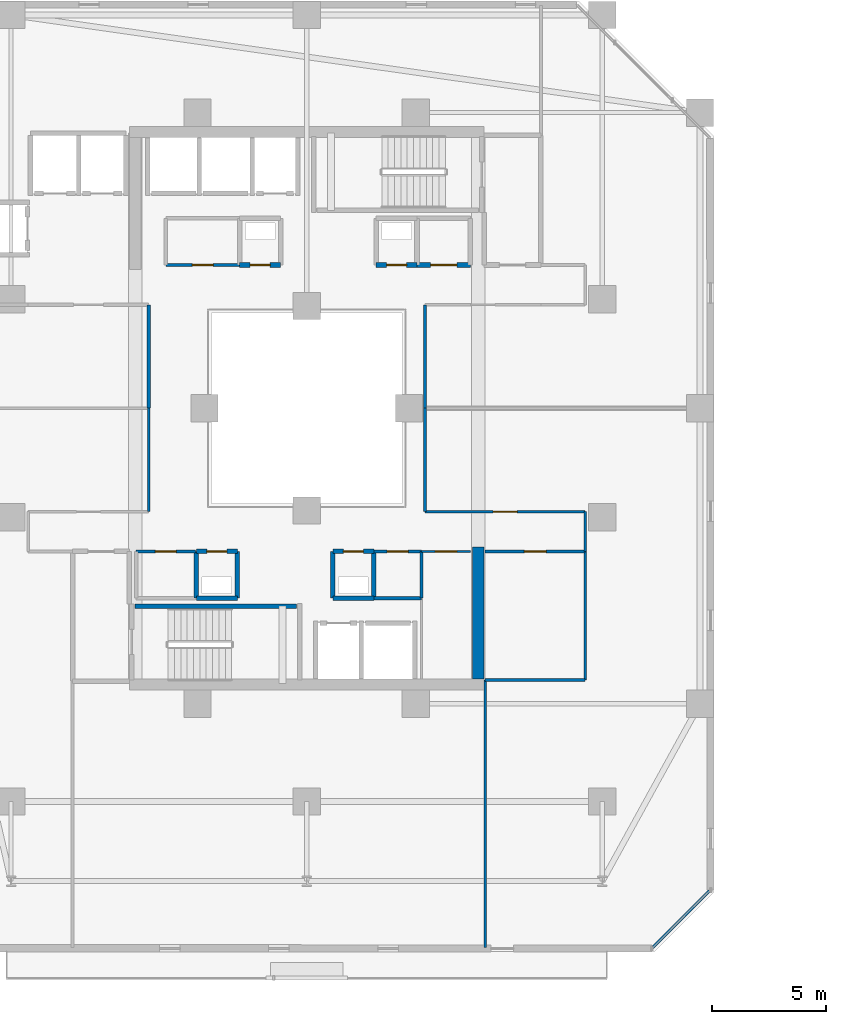
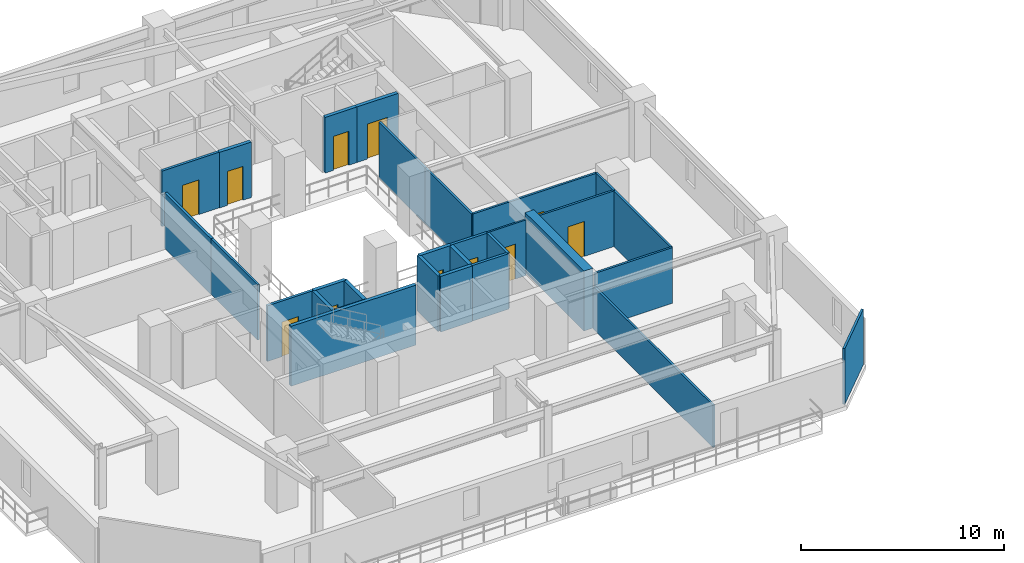
# One storey, part 19 of 32: 30 walls, 11 doors, 11 openings.
"""IFC4 building model written with IfcOpenShell, lengths in metres."""

from ifc_helpers import new_model, si_unit, direction, frame, frame_2d, origin, place, context, subcontext, project, spatial, rectangle, extrude, material, layer, layer_set, type_object, element, fill, save


model = new_model("IFC4")

# Units and contexts
model_context = context("Model", 3, precision=1e-05, world=origin(), true_north=direction((0.0, 1.0)))
body_context = subcontext(model_context, "Body", "Model", "MODEL_VIEW")
ifc_project = project(units=[si_unit("LENGTHUNIT", "METRE"), si_unit("AREAUNIT", "SQUARE_METRE"), si_unit("VOLUMEUNIT", "CUBIC_METRE"), si_unit("PLANEANGLEUNIT", "RADIAN"), si_unit("MASSUNIT", "GRAM", prefix="KILO")], contexts=[model_context])

# Site, building, storey
site_placement = place(None, origin())
site = spatial("IfcSite", under=ifc_project, at=site_placement, CompositionType="ELEMENT")
building_placement = place(site_placement, origin())
building = spatial("IfcBuilding", under=site, at=building_placement, Name="Thornwick Lancets Civic Towers", CompositionType="ELEMENT")
storey_placement = place(building_placement, frame((0.0, 0.0, 123.300048828125)))
storey = spatial("IfcBuildingStorey", under=building, at=storey_placement, Name="L32", CompositionType="ELEMENT", Elevation=123.300048828125)

# Walls
ifc_material_1 = material(Name="Concrete blockwork C40/50", Category="masonry")
ifc_layer_1 = layer(ifc_material_1, 0.199951171875, Name="Concrete blockwork C40/50")
ifc_layer_set_1 = layer_set([ifc_layer_1], Name="Concrete blockwork C40/50")
wall_type_1 = type_object("IfcWallType", Name="WALL_COMP_200", PredefinedType="STANDARD", material=ifc_layer_set_1)
wall_1_placement = place(storey_placement, frame((26.64990234375, 18.64990234375, 0.0), z_axis=(0.0, 0.0, 1.0), x_axis=(1.0, 0.0, 0.0)))
element("IfcWall", 1, at=wall_1_placement, inside=storey, type_object=wall_type_1, Name="L32 Partition L32-A-DUCT1 E1", PredefinedType="STANDARD", context=body_context, shape_type="SweptSolid", body=[
    extrude(rectangle(XDim=1.800048828125, YDim=0.199951171875, at=frame_2d((0.89990234375, 0.0))), origin(), (0.0, 0.0, 1.0), 3.33984375),
])
wall_2_placement = place(storey_placement, frame((28.449951171875, 18.64990234375, 0.0), z_axis=(0.0, 0.0, 1.0), x_axis=(0.0, 1.0, 0.0)))
element("IfcWall", 2, at=wall_2_placement, inside=storey, type_object=wall_type_1, Name="L32 Partition L32-A-DUCT1 E2", PredefinedType="STANDARD", context=body_context, shape_type="SweptSolid", body=[
    extrude(rectangle(XDim=2.050048828125, YDim=0.199951171875, at=frame_2d((1.02490234375, 0.0))), origin(), (0.0, 0.0, 1.0), 3.33984375),
])

# Wall, opening, door
wall_3_placement = place(storey_placement, frame((28.449951171875, 20.699951171875, 0.0), z_axis=(0.0, 0.0, 1.0), x_axis=(-1.0, 0.0, 0.0)))
wall_3 = element("IfcWall", 3, at=wall_3_placement, inside=storey, type_object=wall_type_1, Name="L32 Partition L32-A-DUCT1 E3", PredefinedType="STANDARD", context=body_context, shape_type="SweptSolid", body=[
    extrude(rectangle(XDim=1.800048828125, YDim=0.199951171875, at=frame_2d((0.89990234375, 0.0))), origin(), (0.0, 0.0, 1.0), 3.33984375),
])
opening_1_placement = place(wall_3_placement, frame((0.4599609375, 0.0, 0.0)))
opening_1 = element("IfcOpeningElement", 4, at=opening_1_placement, cuts=wall_3, Name="Opening D-L32-1459", PredefinedType="OPENING", context=body_context, shape_type="SweptSolid", body=[
    extrude(rectangle(XDim=0.8798828125, YDim=2.0400390625, at=frame_2d((0.43994140625, 1.02001953125))), frame((0.0, 0.10986328125, 0.0), z_axis=(0.0, -1.0, 0.0), x_axis=(1.0, 0.0, 0.0)), (0.0, 0.0, 1.0), 0.219970703125),
])
ifc_material_2 = material(Name="Steel riser access doorset", Category="steel")
door_type_1 = type_object("IfcDoorType", Name="DOOR_RISER_850", OperationType="NOTDEFINED", PredefinedType="DOOR", material=ifc_material_2)
door_1_placement = place(opening_1_placement, origin())
door_1 = element("IfcDoor", 5, at=door_1_placement, inside=storey, type_object=door_type_1, Name="L32 South Service Duct 1 Door", OperationType="SINGLE_SWING_RIGHT", OverallHeight=2.0400390625, OverallWidth=0.8798828125, PredefinedType="DOOR", context=body_context, shape_type="SweptSolid", body=[
    extrude(rectangle(XDim=0.8798828125, YDim=2.0400390625, at=frame_2d((0.43994140625, 1.02001953125))), frame((0.0, 0.02490234375, 0.0), z_axis=(0.0, -1.0, 0.0), x_axis=(1.0, 0.0, 0.0)), (0.0, 0.0, 1.0), 0.050048828125),
])
fill(opening_1, door_1)

# Walls
wall_4_placement = place(storey_placement, frame((26.64990234375, 20.699951171875, 0.0), z_axis=(0.0, 0.0, 1.0), x_axis=(0.0, -1.0, 0.0)))
element("IfcWall", 6, at=wall_4_placement, inside=storey, type_object=wall_type_1, Name="L32 Partition L32-A-DUCT1 E4", PredefinedType="STANDARD", context=body_context, shape_type="SweptSolid", body=[
    extrude(rectangle(XDim=2.050048828125, YDim=0.199951171875, at=frame_2d((1.02490234375, 0.0))), origin(), (0.0, 0.0, 1.0), 3.33984375),
])
wall_5_placement = place(storey_placement, frame((20.64990234375, 18.64990234375, 0.0), z_axis=(0.0, 0.0, 1.0), x_axis=(1.0, 0.0, 0.0)))
element("IfcWall", 7, at=wall_5_placement, inside=storey, type_object=wall_type_1, Name="L32 Partition L32-A-RISER1 E1", PredefinedType="STANDARD", context=body_context, shape_type="SweptSolid", body=[
    extrude(rectangle(XDim=1.800048828125, YDim=0.199951171875, at=frame_2d((0.89990234375, 0.0))), origin(), (0.0, 0.0, 1.0), 3.33984375),
])
wall_6_placement = place(storey_placement, frame((22.449951171875, 18.64990234375, 0.0), z_axis=(0.0, 0.0, 1.0), x_axis=(0.0, 1.0, 0.0)))
element("IfcWall", 8, at=wall_6_placement, inside=storey, type_object=wall_type_1, Name="L32 Partition L32-A-RISER1 E2", PredefinedType="STANDARD", context=body_context, shape_type="SweptSolid", body=[
    extrude(rectangle(XDim=2.050048828125, YDim=0.199951171875, at=frame_2d((1.02490234375, 0.0))), origin(), (0.0, 0.0, 1.0), 3.33984375),
])

# Wall, opening, door
wall_7_placement = place(storey_placement, frame((22.449951171875, 20.699951171875, 0.0), z_axis=(0.0, 0.0, 1.0), x_axis=(-1.0, 0.0, 0.0)))
wall_7 = element("IfcWall", 9, at=wall_7_placement, inside=storey, type_object=wall_type_1, Name="L32 Partition L32-A-RISER1 E3", PredefinedType="STANDARD", context=body_context, shape_type="SweptSolid", body=[
    extrude(rectangle(XDim=1.800048828125, YDim=0.199951171875, at=frame_2d((0.89990234375, 0.0))), origin(), (0.0, 0.0, 1.0), 3.33984375),
])
opening_2_placement = place(wall_7_placement, frame((0.4599609375, 0.0, 0.0)))
opening_2 = element("IfcOpeningElement", 10, at=opening_2_placement, cuts=wall_7, Name="Opening D-L32-1460", PredefinedType="OPENING", context=body_context, shape_type="SweptSolid", body=[
    extrude(rectangle(XDim=0.8798828125, YDim=2.0400390625, at=frame_2d((0.43994140625, 1.02001953125))), frame((0.0, 0.10986328125, 0.0), z_axis=(0.0, -1.0, 0.0), x_axis=(1.0, 0.0, 0.0)), (0.0, 0.0, 1.0), 0.219970703125),
])
door_2_placement = place(opening_2_placement, origin())
door_2 = element("IfcDoor", 11, at=door_2_placement, inside=storey, type_object=door_type_1, Name="L32 South Electrical Riser 1 Door", OperationType="SINGLE_SWING_LEFT", OverallHeight=2.0400390625, OverallWidth=0.8798828125, PredefinedType="DOOR", context=body_context, shape_type="SweptSolid", body=[
    extrude(rectangle(XDim=0.8798828125, YDim=2.0400390625, at=frame_2d((0.43994140625, 1.02001953125))), frame((0.0, 0.02490234375, 0.0), z_axis=(0.0, -1.0, 0.0), x_axis=(1.0, 0.0, 0.0)), (0.0, 0.0, 1.0), 0.050048828125),
])
fill(opening_2, door_2)

# Wall
wall_8_placement = place(storey_placement, frame((20.64990234375, 20.699951171875, 0.0), z_axis=(0.0, 0.0, 1.0), x_axis=(0.0, -1.0, 0.0)))
element("IfcWall", 12, at=wall_8_placement, inside=storey, type_object=wall_type_1, Name="L32 Partition L32-A-RISER1 E4", PredefinedType="STANDARD", context=body_context, shape_type="SweptSolid", body=[
    extrude(rectangle(XDim=2.050048828125, YDim=0.199951171875, at=frame_2d((1.02490234375, 0.0))), origin(), (0.0, 0.0, 1.0), 3.33984375),
])

# Wall, opening, door
wall_9_placement = place(storey_placement, frame((22.550048828125, 33.300048828125, 0.0), z_axis=(0.0, 0.0, 1.0), x_axis=(1.0, 0.0, 0.0)))
wall_9 = element("IfcWall", 13, at=wall_9_placement, inside=storey, type_object=wall_type_1, Name="L32 Partition L32-A-DUCT2 E1", PredefinedType="STANDARD", context=body_context, shape_type="SweptSolid", body=[
    extrude(rectangle(XDim=1.800048828125, YDim=0.199951171875, at=frame_2d((0.89990234375, 0.0))), origin(), (0.0, 0.0, 1.0), 3.33984375),
])
opening_3_placement = place(wall_9_placement, frame((0.4599609375, 0.0, 0.0)))
opening_3 = element("IfcOpeningElement", 14, at=opening_3_placement, cuts=wall_9, Name="Opening D-L32-1461", PredefinedType="OPENING", context=body_context, shape_type="SweptSolid", body=[
    extrude(rectangle(XDim=0.8798828125, YDim=2.0400390625, at=frame_2d((0.43994140625, 1.02001953125))), frame((0.0, 0.10986328125, 0.0), z_axis=(0.0, -1.0, 0.0), x_axis=(1.0, 0.0, 0.0)), (0.0, 0.0, 1.0), 0.219970703125),
])
door_3_placement = place(opening_3_placement, origin())
door_3 = element("IfcDoor", 15, at=door_3_placement, inside=storey, type_object=door_type_1, Name="L32 North Service Duct 2 Door", OperationType="SINGLE_SWING_RIGHT", OverallHeight=2.0400390625, OverallWidth=0.8798828125, PredefinedType="DOOR", context=body_context, shape_type="SweptSolid", body=[
    extrude(rectangle(XDim=0.8798828125, YDim=2.0400390625, at=frame_2d((0.43994140625, 1.02001953125))), frame((0.0, 0.02490234375, 0.0), z_axis=(0.0, -1.0, 0.0), x_axis=(1.0, 0.0, 0.0)), (0.0, 0.0, 1.0), 0.050048828125),
])
fill(opening_3, door_3)

wall_10_placement = place(storey_placement, frame((28.550048828125, 33.300048828125, 0.0), z_axis=(0.0, 0.0, 1.0), x_axis=(1.0, 0.0, 0.0)))
wall_10 = element("IfcWall", 16, at=wall_10_placement, inside=storey, type_object=wall_type_1, Name="L32 Partition L32-A-RISER2 E1", PredefinedType="STANDARD", context=body_context, shape_type="SweptSolid", body=[
    extrude(rectangle(XDim=1.800048828125, YDim=0.199951171875, at=frame_2d((0.89990234375, 0.0))), origin(), (0.0, 0.0, 1.0), 3.33984375),
])
opening_4_placement = place(wall_10_placement, frame((0.4599609375, 0.0, 0.0)))
opening_4 = element("IfcOpeningElement", 17, at=opening_4_placement, cuts=wall_10, Name="Opening D-L32-1462", PredefinedType="OPENING", context=body_context, shape_type="SweptSolid", body=[
    extrude(rectangle(XDim=0.8798828125, YDim=2.0400390625, at=frame_2d((0.43994140625, 1.02001953125))), frame((0.0, 0.10986328125, 0.0), z_axis=(0.0, -1.0, 0.0), x_axis=(1.0, 0.0, 0.0)), (0.0, 0.0, 1.0), 0.219970703125),
])
door_4_placement = place(opening_4_placement, origin())
door_4 = element("IfcDoor", 18, at=door_4_placement, inside=storey, type_object=door_type_1, Name="L32 North Service Riser 2 Door", OperationType="SINGLE_SWING_LEFT", OverallHeight=2.0400390625, OverallWidth=0.8798828125, PredefinedType="DOOR", context=body_context, shape_type="SweptSolid", body=[
    extrude(rectangle(XDim=0.8798828125, YDim=2.0400390625, at=frame_2d((0.43994140625, 1.02001953125))), frame((0.0, 0.02490234375, 0.0), z_axis=(0.0, -1.0, 0.0), x_axis=(1.0, 0.0, 0.0)), (0.0, 0.0, 1.0), 0.050048828125),
])
fill(opening_4, door_4)

wall_11_placement = place(storey_placement, frame((32.699951171875, 33.300048828125, 0.0), z_axis=(0.0, 0.0, 1.0), x_axis=(-1.0, 0.0, 0.0)))
wall_11 = element("IfcWall", 19, at=wall_11_placement, inside=storey, type_object=wall_type_1, Name="L32 Partition L32-A-STR E2", PredefinedType="STANDARD", context=body_context, shape_type="SweptSolid", body=[
    extrude(rectangle(XDim=2.349853515625, YDim=0.199951171875, at=frame_2d((1.1748046875, 0.0))), origin(), (0.0, 0.0, 1.0), 3.33984375),
])
opening_5_placement = place(wall_11_placement, frame((0.60009765625, 0.0, 0.0)))
opening_5 = element("IfcOpeningElement", 20, at=opening_5_placement, cuts=wall_11, Name="Opening D-L32-1467", PredefinedType="OPENING", context=body_context, shape_type="SweptSolid", body=[
    extrude(rectangle(XDim=1.14990234375, YDim=2.10009765625, at=frame_2d((0.574951171875, 1.050048828125))), frame((0.0, 0.10986328125, 0.0), z_axis=(0.0, -1.0, 0.0), x_axis=(1.0, 0.0, 0.0)), (0.0, 0.0, 1.0), 0.219970703125),
])
ifc_material_3 = material(Name="Glazed fire-resisting steel", Category="steel")
door_type_2 = type_object("IfcDoorType", Name="DOOR_LOBBY_FD60", OperationType="NOTDEFINED", PredefinedType="DOOR", material=ifc_material_3)
door_5_placement = place(opening_5_placement, origin())
door_5 = element("IfcDoor", 21, at=door_5_placement, inside=storey, type_object=door_type_2, Name="L32 Tower A Core Equipment Store Door", OperationType="SINGLE_SWING_RIGHT", OverallHeight=2.10009765625, OverallWidth=1.14990234375, PredefinedType="DOOR", context=body_context, shape_type="SweptSolid", body=[
    extrude(rectangle(XDim=1.14990234375, YDim=2.10009765625, at=frame_2d((0.574951171875, 1.050048828125))), frame((0.0, 0.02490234375, 0.0), z_axis=(0.0, -1.0, 0.0), x_axis=(1.0, 0.0, 0.0)), (0.0, 0.0, 1.0), 0.050048828125),
])
fill(opening_5, door_5)

# Wall
ifc_material_4 = material(Name="Concrete C50/60", Category="concrete")
ifc_layer_2 = layer(ifc_material_4, 0.5, Name="Concrete C50/60")
ifc_layer_set_2 = layer_set([ifc_layer_2], Name="Concrete C50/60")
wall_type_2 = type_object("IfcWallType", Name="WALL_CORE_500", PredefinedType="SHEAR", material=ifc_layer_set_2)
wall_12_placement = place(storey_placement, frame((33.050048828125, 15.10009765625, 0.0), z_axis=(0.0, 0.0, 1.0), x_axis=(0.0, 1.0, 0.0)))
element("IfcWall", 22, at=wall_12_placement, inside=storey, type_object=wall_type_2, Name="L32 Split Core A1 Shear Wall E", PredefinedType="SHEAR", context=body_context, shape_type="SweptSolid", body=[
    extrude(rectangle(XDim=5.7998046875, YDim=0.5, at=frame_2d((2.89990234375, 0.0))), origin(), (0.0, 0.0, 1.0), 3.599853515625),
])

# Wall, opening, door
ifc_material_5 = material(Name="Lightweight cellular office partition")
ifc_layer_3 = layer(ifc_material_5, 0.10009765625, Name="Lightweight cellular office partition")
ifc_layer_set_3 = layer_set([ifc_layer_3], Name="Lightweight cellular office partition")
wall_type_3 = type_object("IfcWallType", Name="WALL_PART_100", PredefinedType="PARTITIONING", material=ifc_layer_set_3)
wall_13_placement = place(storey_placement, frame((30.550048828125, 20.699951171875, 0.0), z_axis=(0.0, 0.0, 1.0), x_axis=(1.0, 0.0, 0.0)))
wall_13 = element("IfcWall", 23, at=wall_13_placement, inside=storey, type_object=wall_type_3, Name="L32 Partition L32-A-CLN E5", PredefinedType="PARTITIONING", context=body_context, shape_type="SweptSolid", body=[
    extrude(rectangle(XDim=2.14990234375, YDim=0.10009765625, at=frame_2d((1.074951171875, 0.0))), origin(), (0.0, 0.0, 1.0), 3.33984375),
])
opening_6_placement = place(wall_13_placement, frame((0.60009765625, 0.0, 0.0)))
opening_6 = element("IfcOpeningElement", 24, at=opening_6_placement, cuts=wall_13, Name="Opening D-L32-1465", PredefinedType="OPENING", context=body_context, shape_type="SweptSolid", body=[
    extrude(rectangle(XDim=0.949951171875, YDim=2.10009765625, at=frame_2d((0.47509765625, 1.050048828125))), frame((0.0, 0.06005859375, 0.0), z_axis=(0.0, -1.0, 0.0), x_axis=(1.0, 0.0, 0.0)), (0.0, 0.0, 1.0), 0.1201171875),
])
ifc_material_6 = material(Name="European oak acoustic doorset")
door_type_3 = type_object("IfcDoorType", Name="DOOR_OFFICE_950", OperationType="NOTDEFINED", PredefinedType="DOOR", material=ifc_material_6)
door_6_placement = place(opening_6_placement, origin())
door_6 = element("IfcDoor", 25, at=door_6_placement, inside=storey, type_object=door_type_3, Name="L32 Tower A Cleaners Store Door", OperationType="SINGLE_SWING_RIGHT", OverallHeight=2.10009765625, OverallWidth=0.949951171875, PredefinedType="DOOR", context=body_context, shape_type="SweptSolid", body=[
    extrude(rectangle(XDim=0.949951171875, YDim=2.10009765625, at=frame_2d((0.47509765625, 1.050048828125))), frame((0.0, 0.02490234375, 0.0), z_axis=(0.0, -1.0, 0.0), x_axis=(1.0, 0.0, 0.0)), (0.0, 0.0, 1.0), 0.050048828125),
])
fill(opening_6, door_6)

# Wall
ifc_material_7 = material(Name="Acoustic gypsum board partition")
ifc_layer_4 = layer(ifc_material_7, 0.1201171875, Name="Acoustic gypsum board partition")
ifc_layer_set_4 = layer_set([ifc_layer_4], Name="Acoustic gypsum board partition")
wall_type_4 = type_object("IfcWallType", Name="WALL_PART_120", PredefinedType="PARTITIONING", material=ifc_layer_set_4)
wall_14_placement = place(storey_placement, frame((37.75, 15.050048828125, 0.0), z_axis=(0.0, 0.0, 1.0), x_axis=(-1.0, 0.0, 0.0)))
element("IfcWall", 26, at=wall_14_placement, inside=storey, type_object=wall_type_4, Name="L32 Partition L32-A-RECLAIM-L1 E1", PredefinedType="PARTITIONING", context=body_context, shape_type="SweptSolid", body=[
    extrude(rectangle(XDim=4.39990234375, YDim=0.1201171875, at=frame_2d((2.199951171875, 0.0))), origin(), (0.0, 0.0, 1.0), 3.33984375),
])

# Wall, opening, door
wall_15_placement = place(storey_placement, frame((33.35009765625, 20.699951171875, 0.0), z_axis=(0.0, 0.0, 1.0), x_axis=(1.0, 0.0, 0.0)))
wall_15 = element("IfcWall", 27, at=wall_15_placement, inside=storey, type_object=wall_type_4, Name="L32 Partition L32-A-RECLAIM-L1 E3", PredefinedType="PARTITIONING", context=body_context, shape_type="SweptSolid", body=[
    extrude(rectangle(XDim=4.39990234375, YDim=0.1201171875, at=frame_2d((2.199951171875, 0.0))), origin(), (0.0, 0.0, 1.0), 3.33984375),
])
opening_7_placement = place(wall_15_placement, frame((1.72509765625, 0.0, 0.0)))
opening_7 = element("IfcOpeningElement", 28, at=opening_7_placement, cuts=wall_15, Name="Opening D-L32-1479", PredefinedType="OPENING", context=body_context, shape_type="SweptSolid", body=[
    extrude(rectangle(XDim=0.949951171875, YDim=2.10009765625, at=frame_2d((0.47509765625, 1.050048828125))), frame((0.0, 0.070068359375, 0.0), z_axis=(0.0, -1.0, 0.0), x_axis=(1.0, 0.0, 0.0)), (0.0, 0.0, 1.0), 0.14013671875),
])
door_7_placement = place(opening_7_placement, origin())
door_7 = element("IfcDoor", 29, at=door_7_placement, inside=storey, type_object=door_type_3, Name="L32 Tower A Policy Archive and Library Door", OperationType="SINGLE_SWING_RIGHT", OverallHeight=2.10009765625, OverallWidth=0.949951171875, PredefinedType="DOOR", context=body_context, shape_type="SweptSolid", body=[
    extrude(rectangle(XDim=0.949951171875, YDim=2.10009765625, at=frame_2d((0.47509765625, 1.050048828125))), frame((0.0, 0.02490234375, 0.0), z_axis=(0.0, -1.0, 0.0), x_axis=(1.0, 0.0, 0.0)), (0.0, 0.0, 1.0), 0.050048828125),
])
fill(opening_7, door_7)

# Walls
wall_16_placement = place(storey_placement, frame((37.75, 20.699951171875, 0.0), z_axis=(0.0, 0.0, 1.0), x_axis=(0.0, -1.0, 0.0)))
element("IfcWall", 30, at=wall_16_placement, inside=storey, type_object=wall_type_4, Name="L32 Partition L32-A-RECLAIM-L1 E4", PredefinedType="PARTITIONING", context=body_context, shape_type="SweptSolid", body=[
    extrude(rectangle(XDim=5.64990234375, YDim=0.1201171875, at=frame_2d((2.824951171875, 0.0))), origin(), (0.0, 0.0, 1.0), 3.33984375),
])
wall_17_placement = place(storey_placement, frame((18.550048828125, 27.0, 0.0), z_axis=(0.0, 0.0, 1.0), x_axis=(0.0, -1.0, 0.0)))
element("IfcWall", 31, at=wall_17_placement, inside=storey, type_object=wall_type_4, Name="L32 Partition L32-A-W1 E10", PredefinedType="PARTITIONING", context=body_context, shape_type="SweptSolid", body=[
    extrude(rectangle(XDim=4.550048828125, YDim=0.1201171875, at=frame_2d((2.27490234375, 0.0))), origin(), (0.0, 0.0, 1.0), 3.33984375),
])
wall_18_placement = place(storey_placement, frame((33.35009765625, 3.280029296875, 0.0), z_axis=(0.0, 0.0, 1.0), x_axis=(0.0, 1.0, 0.0)))
element("IfcWall", 32, at=wall_18_placement, inside=storey, type_object=wall_type_4, Name="L32 Partition L32-A-E1 E2", PredefinedType="PARTITIONING", context=body_context, shape_type="SweptSolid", body=[
    extrude(rectangle(XDim=11.77001953125, YDim=0.1201171875, at=frame_2d((5.885009765625, 0.0))), origin(), (0.0, 0.0, 1.0), 2.544921875),
])
wall_19_placement = place(storey_placement, frame((37.75, 20.699951171875, 0.0), z_axis=(0.0, 0.0, 1.0), x_axis=(0.0, 1.0, 0.0)))
element("IfcWall", 33, at=wall_19_placement, inside=storey, type_object=wall_type_4, Name="L32 Partition L32-A-E1 E5", PredefinedType="PARTITIONING", context=body_context, shape_type="SweptSolid", body=[
    extrude(rectangle(XDim=1.75, YDim=0.1201171875, at=frame_2d((0.875, 0.0))), origin(), (0.0, 0.0, 1.0), 3.33984375),
])

# Wall, opening, door
wall_20_placement = place(storey_placement, frame((37.75, 22.449951171875, 0.0), z_axis=(0.0, 0.0, 1.0), x_axis=(-1.0, 0.0, 0.0)))
wall_20 = element("IfcWall", 34, at=wall_20_placement, inside=storey, type_object=wall_type_4, Name="L32 Partition L32-A-E1 E6", PredefinedType="PARTITIONING", context=body_context, shape_type="SweptSolid", body=[
    extrude(rectangle(XDim=7.050048828125, YDim=0.1201171875, at=frame_2d((3.52490234375, 0.0))), origin(), (0.0, 0.0, 1.0), 3.33984375),
])
opening_8_placement = place(wall_20_placement, frame((3.0, 0.0, 0.0)))
opening_8 = element("IfcOpeningElement", 35, at=opening_8_placement, cuts=wall_20, Name="Opening D-L32-1482", PredefinedType="OPENING", context=body_context, shape_type="SweptSolid", body=[
    extrude(rectangle(XDim=1.050048828125, YDim=2.10009765625, at=frame_2d((0.52490234375, 1.050048828125))), frame((0.0, 0.070068359375, 0.0), z_axis=(0.0, -1.0, 0.0), x_axis=(1.0, 0.0, 0.0)), (0.0, 0.0, 1.0), 0.14013671875),
])
ifc_material_8 = material(Name="Glazed European oak executive doorset")
door_type_4 = type_object("IfcDoorType", Name="DOOR_OFFICE_1050", OperationType="NOTDEFINED", PredefinedType="DOOR", material=ifc_material_8)
door_8_placement = place(opening_8_placement, origin())
door_8 = element("IfcDoor", 36, at=door_8_placement, inside=storey, type_object=door_type_4, Name="L32 Tower A Secretariat Open Office E1 Door", OperationType="SINGLE_SWING_LEFT", OverallHeight=2.10009765625, OverallWidth=1.050048828125, PredefinedType="DOOR", context=body_context, shape_type="SweptSolid", body=[
    extrude(rectangle(XDim=1.050048828125, YDim=2.10009765625, at=frame_2d((0.52490234375, 1.050048828125))), frame((0.0, 0.02490234375, 0.0), z_axis=(0.0, -1.0, 0.0), x_axis=(1.0, 0.0, 0.0)), (0.0, 0.0, 1.0), 0.050048828125),
])
fill(opening_8, door_8)

# Walls
wall_21_placement = place(storey_placement, frame((30.699951171875, 22.449951171875, 0.0), z_axis=(0.0, 0.0, 1.0), x_axis=(0.0, 1.0, 0.0)))
element("IfcWall", 37, at=wall_21_placement, inside=storey, type_object=wall_type_4, Name="L32 Partition L32-A-E1 E7", PredefinedType="PARTITIONING", context=body_context, shape_type="SweptSolid", body=[
    extrude(rectangle(XDim=4.550048828125, YDim=0.1201171875, at=frame_2d((2.27490234375, 0.0))), origin(), (0.0, 0.0, 1.0), 3.33984375),
])
wall_22_placement = place(storey_placement, frame((43.219970703125, 5.774658203125, 0.0), z_axis=(0.0, 0.0, 1.0), x_axis=(-0.707106781187, -0.707106781187, 0.0)))
element("IfcWall", 38, at=wall_22_placement, inside=storey, type_object=wall_type_4, Name="L32 Partition L32-A-E1 E10", PredefinedType="PARTITIONING", context=body_context, shape_type="SweptSolid", body=[
    extrude(rectangle(XDim=3.52783203125, YDim=0.1201171875, at=frame_2d((1.763916015625, 0.0))), origin(), (0.0, 0.0, 1.0), 3.33984375),
])
wall_23_placement = place(storey_placement, frame((30.699951171875, 27.0, 0.0), z_axis=(0.0, 0.0, 1.0), x_axis=(0.0, 1.0, 0.0)))
element("IfcWall", 39, at=wall_23_placement, inside=storey, type_object=wall_type_4, Name="L32 Partition L32-A-E3 E11", PredefinedType="PARTITIONING", context=body_context, shape_type="SweptSolid", body=[
    extrude(rectangle(XDim=4.550048828125, YDim=0.1201171875, at=frame_2d((2.27490234375, 0.0))), origin(), (0.0, 0.0, 1.0), 3.33984375),
])

# Wall, opening, door
ifc_material_9 = material(Name="Twin-stud acoustic gypsum board")
ifc_layer_5 = layer(ifc_material_9, 0.14990234375, Name="Twin-stud acoustic gypsum board")
ifc_layer_set_5 = layer_set([ifc_layer_5], Name="Twin-stud acoustic gypsum board")
wall_type_5 = type_object("IfcWallType", Name="WALL_PART_150", PredefinedType="PARTITIONING", material=ifc_layer_set_5)
wall_24_placement = place(storey_placement, frame((20.60009765625, 20.699951171875, 0.0), z_axis=(0.0, 0.0, 1.0), x_axis=(-1.0, 0.0, 0.0)))
wall_24 = element("IfcWall", 40, at=wall_24_placement, inside=storey, type_object=wall_type_5, Name="L32 Partition L32-A-AWC E3", PredefinedType="PARTITIONING", context=body_context, shape_type="SweptSolid", body=[
    extrude(rectangle(XDim=2.60009765625, YDim=0.14990234375, at=frame_2d((1.300048828125, 0.0))), origin(), (0.0, 0.0, 1.0), 3.33984375),
])
opening_9_placement = place(wall_24_placement, frame((0.840087890625, 0.0, 0.0)))
opening_9 = element("IfcOpeningElement", 41, at=opening_9_placement, cuts=wall_24, Name="Opening D-L32-1463", PredefinedType="OPENING", context=body_context, shape_type="SweptSolid", body=[
    extrude(rectangle(XDim=0.919921875, YDim=2.080078125, at=frame_2d((0.4599609375, 1.0400390625))), frame((0.0, 0.0849609375, 0.0), z_axis=(0.0, -1.0, 0.0), x_axis=(1.0, 0.0, 0.0)), (0.0, 0.0, 1.0), 0.169921875),
])
ifc_material_10 = material(Name="Moisture-resistant oak doorset")
door_type_5 = type_object("IfcDoorType", Name="DOOR_WC_900", OperationType="NOTDEFINED", PredefinedType="DOOR", material=ifc_material_10)
door_9_placement = place(opening_9_placement, origin())
door_9 = element("IfcDoor", 42, at=door_9_placement, inside=storey, type_object=door_type_5, Name="L32 Tower A Accessible WC Door", OperationType="SINGLE_SWING_RIGHT", OverallHeight=2.080078125, OverallWidth=0.919921875, PredefinedType="DOOR", context=body_context, shape_type="SweptSolid", body=[
    extrude(rectangle(XDim=0.919921875, YDim=2.080078125, at=frame_2d((0.4599609375, 1.0400390625))), frame((0.0, 0.02490234375, 0.0), z_axis=(0.0, -1.0, 0.0), x_axis=(1.0, 0.0, 0.0)), (0.0, 0.0, 1.0), 0.050048828125),
])
fill(opening_9, door_9)

# Walls
wall_25_placement = place(storey_placement, frame((30.550048828125, 20.699951171875, 0.0), z_axis=(0.0, 0.0, 1.0), x_axis=(0.0, -1.0, 0.0)))
element("IfcWall", 43, at=wall_25_placement, inside=storey, type_object=wall_type_5, Name="L32 Partition L32-A-MWC E1", PredefinedType="PARTITIONING", context=body_context, shape_type="SweptSolid", body=[
    extrude(rectangle(XDim=2.050048828125, YDim=0.14990234375, at=frame_2d((1.02490234375, 0.0))), origin(), (0.0, 0.0, 1.0), 3.33984375),
])
wall_26_placement = place(storey_placement, frame((30.550048828125, 18.64990234375, 0.0), z_axis=(0.0, 0.0, 1.0), x_axis=(-1.0, 0.0, 0.0)))
element("IfcWall", 44, at=wall_26_placement, inside=storey, type_object=wall_type_5, Name="L32 Partition L32-A-MWC E2", PredefinedType="PARTITIONING", context=body_context, shape_type="SweptSolid", body=[
    extrude(rectangle(XDim=2.10009765625, YDim=0.14990234375, at=frame_2d((1.050048828125, 0.0))), origin(), (0.0, 0.0, 1.0), 3.33984375),
])

# Wall, opening, door
wall_27_placement = place(storey_placement, frame((28.449951171875, 20.699951171875, 0.0), z_axis=(0.0, 0.0, 1.0), x_axis=(1.0, 0.0, 0.0)))
wall_27 = element("IfcWall", 45, at=wall_27_placement, inside=storey, type_object=wall_type_5, Name="L32 Partition L32-A-MWC E4", PredefinedType="PARTITIONING", context=body_context, shape_type="SweptSolid", body=[
    extrude(rectangle(XDim=2.10009765625, YDim=0.14990234375, at=frame_2d((1.050048828125, 0.0))), origin(), (0.0, 0.0, 1.0), 3.33984375),
])
opening_10_placement = place(wall_27_placement, frame((0.590087890625, 0.0, 0.0)))
opening_10 = element("IfcOpeningElement", 46, at=opening_10_placement, cuts=wall_27, Name="Opening D-L32-1464", PredefinedType="OPENING", context=body_context, shape_type="SweptSolid", body=[
    extrude(rectangle(XDim=0.919921875, YDim=2.080078125, at=frame_2d((0.4599609375, 1.0400390625))), frame((0.0, 0.0849609375, 0.0), z_axis=(0.0, -1.0, 0.0), x_axis=(1.0, 0.0, 0.0)), (0.0, 0.0, 1.0), 0.169921875),
])
door_10_placement = place(opening_10_placement, origin())
door_10 = element("IfcDoor", 47, at=door_10_placement, inside=storey, type_object=door_type_5, Name="L32 Tower A Male WC Door", OperationType="SINGLE_SWING_LEFT", OverallHeight=2.080078125, OverallWidth=0.919921875, PredefinedType="DOOR", context=body_context, shape_type="SweptSolid", body=[
    extrude(rectangle(XDim=0.919921875, YDim=2.080078125, at=frame_2d((0.4599609375, 1.0400390625))), frame((0.0, 0.02490234375, 0.0), z_axis=(0.0, -1.0, 0.0), x_axis=(1.0, 0.0, 0.0)), (0.0, 0.0, 1.0), 0.050048828125),
])
fill(opening_10, door_10)

wall_28_placement = place(storey_placement, frame((22.550048828125, 33.300048828125, 0.0), z_axis=(0.0, 0.0, 1.0), x_axis=(-1.0, 0.0, 0.0)))
wall_28 = element("IfcWall", 48, at=wall_28_placement, inside=storey, type_object=wall_type_5, Name="L32 Partition L32-A-FWC E4", PredefinedType="PARTITIONING", context=body_context, shape_type="SweptSolid", body=[
    extrude(rectangle(XDim=3.25, YDim=0.14990234375, at=frame_2d((1.625, 0.0))), origin(), (0.0, 0.0, 1.0), 3.33984375),
])
opening_11_placement = place(wall_28_placement, frame((1.1650390625, 0.0, 0.0)))
opening_11 = element("IfcOpeningElement", 49, at=opening_11_placement, cuts=wall_28, Name="Opening D-L32-1466", PredefinedType="OPENING", context=body_context, shape_type="SweptSolid", body=[
    extrude(rectangle(XDim=0.919921875, YDim=2.080078125, at=frame_2d((0.4599609375, 1.0400390625))), frame((0.0, 0.0849609375, 0.0), z_axis=(0.0, -1.0, 0.0), x_axis=(1.0, 0.0, 0.0)), (0.0, 0.0, 1.0), 0.169921875),
])
door_11_placement = place(opening_11_placement, origin())
door_11 = element("IfcDoor", 50, at=door_11_placement, inside=storey, type_object=door_type_5, Name="L32 Tower A Female WC Door", OperationType="SINGLE_SWING_LEFT", OverallHeight=2.080078125, OverallWidth=0.919921875, PredefinedType="DOOR", context=body_context, shape_type="SweptSolid", body=[
    extrude(rectangle(XDim=0.919921875, YDim=2.080078125, at=frame_2d((0.4599609375, 1.0400390625))), frame((0.0, 0.02490234375, 0.0), z_axis=(0.0, -1.0, 0.0), x_axis=(1.0, 0.0, 0.0)), (0.0, 0.0, 1.0), 0.050048828125),
])
fill(opening_11, door_11)

# Walls
wall_29_placement = place(storey_placement, frame((18.550048828125, 31.550048828125, 0.0), z_axis=(0.0, 0.0, 1.0), x_axis=(0.0, -1.0, 0.0)))
element("IfcWall", 51, at=wall_29_placement, inside=storey, type_object=wall_type_5, Name="L32 Partition L32-A-W2 E2", PredefinedType="PARTITIONING", context=body_context, shape_type="SweptSolid", body=[
    extrude(rectangle(XDim=4.550048828125, YDim=0.14990234375, at=frame_2d((2.27490234375, 0.0))), origin(), (0.0, 0.0, 1.0), 3.33984375),
])
ifc_material_11 = material(Name="Concrete C40/50", Category="concrete")
ifc_layer_6 = layer(ifc_material_11, 0.199951171875, Name="Concrete C40/50")
ifc_layer_set_6 = layer_set([ifc_layer_6], Name="Concrete C40/50")
wall_type_6 = type_object("IfcWallType", Name="WALL_SHAFT_200", PredefinedType="SHEAR", material=ifc_layer_set_6)
wall_30_placement = place(storey_placement, frame((25.050048828125, 18.297119140625, 0.0), z_axis=(0.0, 0.0, 1.0), x_axis=(-1.0, 0.0, 0.0)))
element("IfcWall", 52, at=wall_30_placement, inside=storey, type_object=wall_type_6, Name="L32 ST-A1 Fire Stair Core Wall RIGHT", PredefinedType="SHEAR", context=body_context, shape_type="SweptSolid", body=[
    extrude(rectangle(XDim=7.10009765625, YDim=0.199951171875, at=frame_2d((3.550048828125, 0.0))), origin(), (0.0, 0.0, 1.0), 3.599853515625),
])

save(model, "model.ifc")
